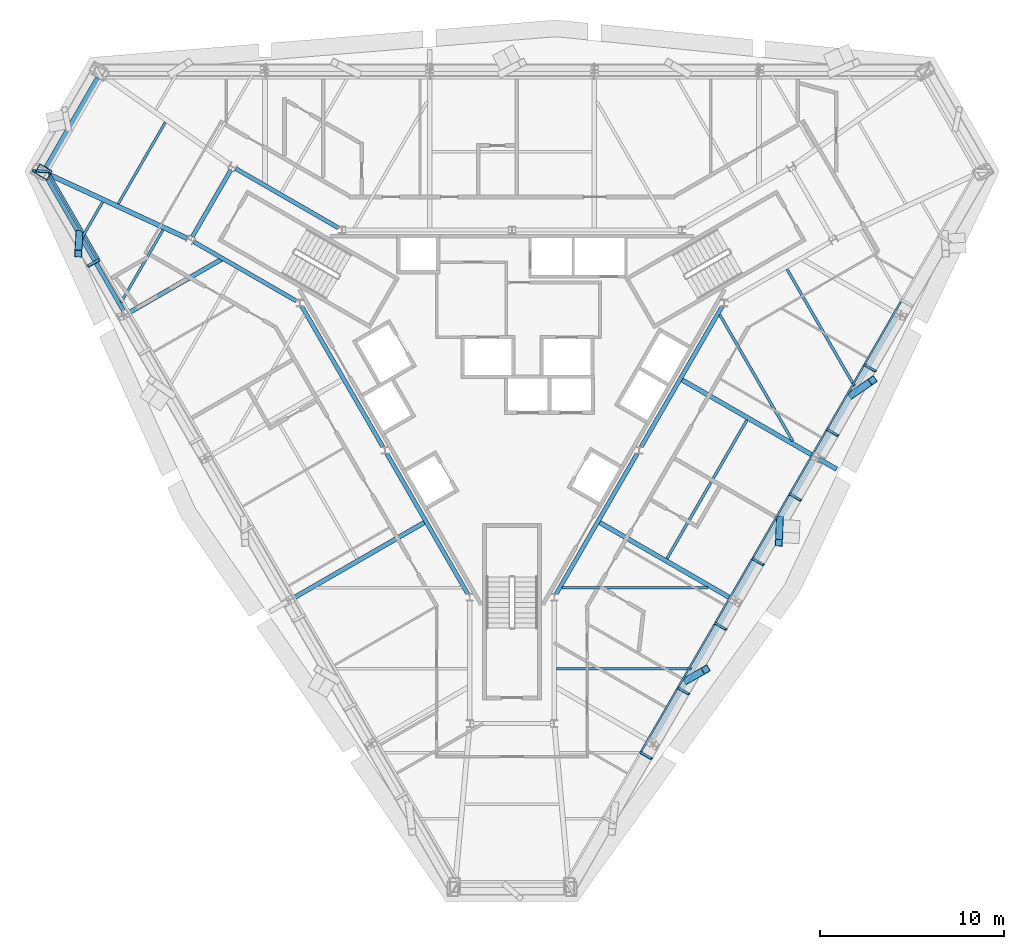
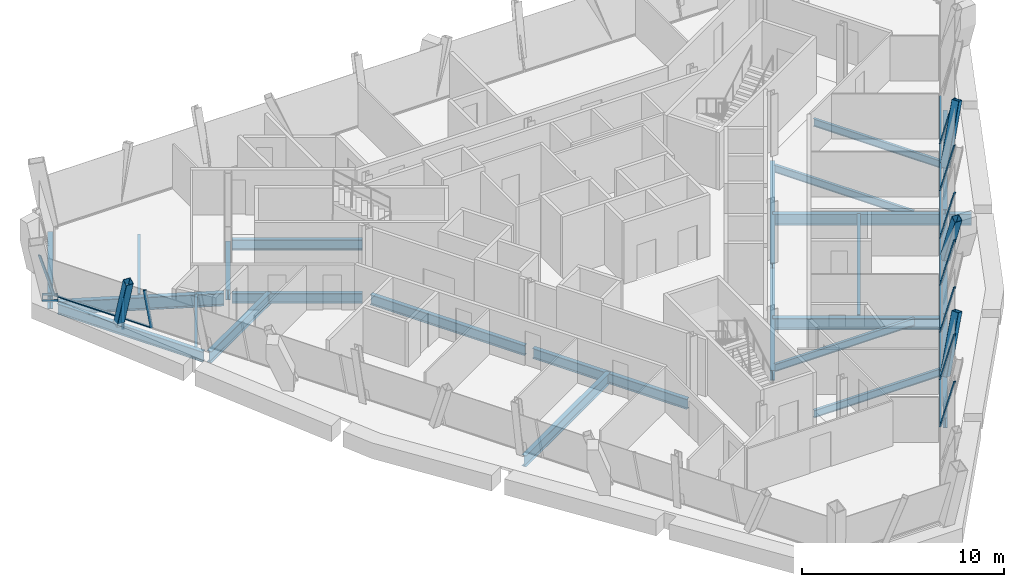
# One storey, part 4 of 13: 26 beams, 22 members, 2 elements without a shape of their own.
"""IFC4 building model written with IfcOpenShell, lengths in metres."""

from ifc_helpers import new_model, si_unit, direction, frame, origin, origin_2d, place, context, subcontext, project, spatial, rectangle, hollow_rectangle, i_section, extrude, material, material_profile, profile_set, type_object, element, aggregate, save


model = new_model("IFC4")

# Units and contexts
model_context = context("Model", 3, precision=1e-05, world=origin(), true_north=direction((0.0, 1.0)))
body_context = subcontext(model_context, "Body", "Model", "MODEL_VIEW")
ifc_project = project(units=[si_unit("LENGTHUNIT", "METRE"), si_unit("AREAUNIT", "SQUARE_METRE"), si_unit("VOLUMEUNIT", "CUBIC_METRE"), si_unit("PLANEANGLEUNIT", "RADIAN"), si_unit("MASSUNIT", "GRAM", prefix="KILO")], contexts=[model_context])

# Site, building, storey
site_placement = place(None, origin())
site = spatial("IfcSite", under=ifc_project, at=site_placement, CompositionType="ELEMENT")
building_placement = place(site_placement, origin())
building = spatial("IfcBuilding", under=site, at=building_placement, Name="Verrane Prism Tower", CompositionType="ELEMENT")
storey_placement = place(building_placement, frame((0.0, 0.0, 243.39990234375)))
storey = spatial("IfcBuildingStorey", under=building, at=storey_placement, Name="L61", CompositionType="ELEMENT", Elevation=243.39990234375)

# Beams
ifc_material_1 = material(Name="Steel A992", Category="steel")
ifc_material_profile_1 = material_profile(ifc_material_1, i_section(OverallWidth=0.2666015625, OverallDepth=0.7568359375, WebThickness=0.013916015625, FlangeThickness=0.019287109375, FilletRadius=0.0166015625, at=origin_2d()), Name="W30x108")
ifc_profile_set_1 = profile_set([ifc_material_profile_1], Name="Steel A992")
beam_type_1 = type_object("IfcBeamType", Name="Chamfer spandrel beam W30x108", PredefinedType="SPANDREL", material=ifc_profile_set_1)
beam_1_placement = place(storey_placement, frame((-22.580078125, 16.270263671875, -0.538330078125), z_axis=(-0.499927487467, -0.866067264868, 0.0), x_axis=(0.866067264868, -0.499927487467, 0.0)))
element("IfcBeam", 1, at=beam_1_placement, inside=storey, type_object=beam_type_1, Name="Chamfer spandrel beam L61", PredefinedType="SPANDREL", context=body_context, shape_type="SweptSolid", body=[
    extrude(i_section(OverallWidth=0.2666015625, OverallDepth=0.7568359375, WebThickness=0.013916015625, FlangeThickness=0.019287109375, FilletRadius=0.0166015625, at=origin_2d()), origin(), (0.0, 0.0, 1.0), 5.600341796875),
])
ifc_material_2 = material(Name="Steel A992", Category="steel")
ifc_material_profile_2 = material_profile(ifc_material_2, i_section(OverallWidth=0.23046875, OverallDepth=0.6171875, WebThickness=0.01318359375, FlangeThickness=0.022216796875, FilletRadius=0.012939453125, at=origin_2d()), Name="W24x94")
ifc_profile_set_2 = profile_set([ifc_material_profile_2], Name="Steel A992")
beam_type_2 = type_object("IfcBeamType", Name="Core ring girder W24x94", PredefinedType="BEAM", material=ifc_profile_set_2)
beam_2_placement = place(storey_placement, frame((-9.45947265625, 8.114990234375, -0.55859375), z_axis=(-0.866080992722, 0.499903704773, 0.0), x_axis=(-0.499903704773, -0.866080992722, 0.0)))
element("IfcBeam", 2, at=beam_2_placement, inside=storey, type_object=beam_type_2, Name="Core ring girder L61", PredefinedType="BEAM", context=body_context, shape_type="SweptSolid", body=[
    extrude(i_section(OverallWidth=0.23046875, OverallDepth=0.6171875, WebThickness=0.01318359375, FlangeThickness=0.022216796875, FilletRadius=0.012939453125, at=origin_2d()), origin(), (0.0, 0.0, 1.0), 6.451904296875),
])
beam_3_placement = place(storey_placement, frame((-15.3203125, 11.266357421875, -0.55859375), z_axis=(-0.500375511519, -0.865808493532, 0.0), x_axis=(0.865808493532, -0.500375511519, 0.0)))
element("IfcBeam", 3, at=beam_3_placement, inside=storey, type_object=beam_type_2, Name="Core ring girder L61", PredefinedType="BEAM", context=body_context, shape_type="SweptSolid", body=[
    extrude(i_section(OverallWidth=0.23046875, OverallDepth=0.6171875, WebThickness=0.01318359375, FlangeThickness=0.022216796875, FilletRadius=0.012939453125, at=origin_2d()), origin(), (0.0, 0.0, 1.0), 4.195556640625),
])
beam_4_placement = place(storey_placement, frame((-17.347412109375, 7.3603515625, -0.55859375), z_axis=(0.866080992722, -0.499903704773, 0.0), x_axis=(0.499903704773, 0.866080992722, 0.0)))
element("IfcBeam", 4, at=beam_4_placement, inside=storey, type_object=beam_type_2, Name="Core ring girder L61", PredefinedType="BEAM", context=body_context, shape_type="SweptSolid", body=[
    extrude(i_section(OverallWidth=0.23046875, OverallDepth=0.6171875, WebThickness=0.01318359375, FlangeThickness=0.022216796875, FilletRadius=0.012939453125, at=origin_2d()), origin(), (0.0, 0.0, 1.0), 6.451904296875),
])
beam_5_placement = place(storey_placement, frame((-11.448486328125, 3.826904296875, -0.55859375), z_axis=(0.499967007444, -0.866044451208, 0.0), x_axis=(0.866044451208, 0.499967007444, 0.0)))
element("IfcBeam", 5, at=beam_5_placement, inside=storey, type_object=beam_type_2, Name="Core ring girder L61", PredefinedType="BEAM", context=body_context, shape_type="SweptSolid", body=[
    extrude(i_section(OverallWidth=0.23046875, OverallDepth=0.6171875, WebThickness=0.01318359375, FlangeThickness=0.022216796875, FilletRadius=0.012939453125, at=origin_2d()), origin(), (0.0, 0.0, 1.0), 8.814453125),
])
for number, where, z_axis, x_axis, name in (
    (6, (-6.818603515625, -4.193115234375, -0.55859375), (0.499987781028, -0.866032458297, 0.0), (0.866032458297, 0.499987781028, 0.0), "Core ring girder L61"),
    (7, (2.411376953125, -11.826904296875, -0.55859375), (0.499987781028, 0.866032458297, 0.0), (-0.866032458297, 0.499987781028, 0.0), "Core ring girder L61"),
):
    element("IfcBeam", number, at=place(storey_placement, frame(where, z_axis=z_axis, x_axis=x_axis)), inside=storey, type_object=beam_type_2, Name=name, PredefinedType="BEAM", context=body_context, shape_type="SweptSolid", body=[
        extrude(i_section(OverallWidth=0.23046875, OverallDepth=0.6171875, WebThickness=0.01318359375, FlangeThickness=0.022216796875, FilletRadius=0.012939453125, at=origin_2d()), origin(), (0.0, 0.0, 1.0), 8.814697265625),
    ])
beam_6_placement = place(storey_placement, frame((7.04150390625, -3.806884765625, -0.55859375), z_axis=(0.499967007444, 0.866044451208, 0.0), x_axis=(-0.866044451208, 0.499967007444, 0.0)))
element("IfcBeam", 8, at=beam_6_placement, inside=storey, type_object=beam_type_2, Name="Core ring girder L61", PredefinedType="BEAM", context=body_context, shape_type="SweptSolid", body=[
    extrude(i_section(OverallWidth=0.23046875, OverallDepth=0.6171875, WebThickness=0.01318359375, FlangeThickness=0.022216796875, FilletRadius=0.012939453125, at=origin_2d()), origin(), (0.0, 0.0, 1.0), 8.814453125),
])
ifc_material_3 = material(Name="Steel A992", Category="steel")
ifc_material_profile_3 = material_profile(ifc_material_3, i_section(OverallWidth=0.2666015625, OverallDepth=0.76708984375, WebThickness=0.014892578125, FlangeThickness=0.023681640625, FilletRadius=0.0166015625, at=origin_2d()), Name="W30x124")
ifc_profile_set_3 = profile_set([ifc_material_profile_3], Name="Steel A992")
beam_type_3 = type_object("IfcBeamType", Name="Corner girder W30x124", PredefinedType="BEAM", material=ifc_profile_set_3)
beam_7_placement = place(storey_placement, frame((-25.165283203125, 10.99169921875, -0.603515625), z_axis=(0.907815050259, -0.419370760215, 0.0), x_axis=(0.419370760215, 0.907815050259, 0.0)))
element("IfcBeam", 9, at=beam_7_placement, inside=storey, type_object=beam_type_3, Name="Corner girder L61", PredefinedType="BEAM", context=body_context, shape_type="SweptSolid", body=[
    extrude(i_section(OverallWidth=0.2666015625, OverallDepth=0.76708984375, WebThickness=0.014892578125, FlangeThickness=0.023681640625, FilletRadius=0.0166015625, at=origin_2d()), origin(), (0.0, 0.0, 1.0), 8.22119140625),
])

# Members
ifc_material_4 = material(Name="Steel A500 Grade C", Category="steel")
ifc_material_profile_4 = material_profile(ifc_material_4, hollow_rectangle(XDim=0.406494140625, YDim=0.406494140625, WallThickness=0.01904296875, InnerFilletRadius=0.009521484375, OuterFilletRadius=0.028564453125, at=origin_2d()), Name="HSS16x16x3/4")
ifc_profile_set_4 = profile_set([ifc_material_profile_4], Name="Steel A500 Grade C")
member_type_1 = type_object("IfcMemberType", Name="Facade brace HSS16x16x3/4", PredefinedType="BRACE", material=ifc_profile_set_4)
member_1_placement = place(storey_placement, frame((-23.5751953125, 7.769775390625, -0.216552734375), z_axis=(-0.018709225609, -0.313778369029, 0.949311908704), x_axis=(0.998227119344, -0.059519897571, 0.0)))
element("IfcMember", 10, at=member_1_placement, inside=storey, type_object=member_type_1, Name="Facade brace SW0 L61", PredefinedType="BRACE", context=body_context, shape_type="SweptSolid", body=[
    extrude(hollow_rectangle(XDim=0.406494140625, YDim=0.406494140625, WallThickness=0.01904296875, InnerFilletRadius=0.009521484375, OuterFilletRadius=0.028564453125, at=origin_2d()), origin(), (0.0, 0.0, 1.0), 3.36669921875),
])
member_2_placement = place(storey_placement, frame((9.54931640625, -16.521728515625, -0.216552734375), z_axis=(0.29571473243, 0.168507836357, 0.940296711741), x_axis=(-0.495093133166, 0.868839910163, 0.0)))
element("IfcMember", 11, at=member_2_placement, inside=storey, type_object=member_type_1, Name="Facade brace SE1 L61", PredefinedType="BRACE", context=body_context, shape_type="SweptSolid", body=[
    extrude(hollow_rectangle(XDim=0.406494140625, YDim=0.406494140625, WallThickness=0.01904296875, InnerFilletRadius=0.009521484375, OuterFilletRadius=0.028564453125, at=origin_2d()), origin(), (0.0, 0.0, 1.0), 3.39892578125),
])
member_3_placement = place(storey_placement, frame((14.591796875, -7.785888671875, -0.216552734375), z_axis=(-0.01421343073, -0.366422244214, 0.930340108418), x_axis=(0.9992485252, -0.038760609977, 0.0)))
element("IfcMember", 12, at=member_3_placement, inside=storey, type_object=member_type_1, Name="Facade brace SE2 L61", PredefinedType="BRACE", context=body_context, shape_type="SweptSolid", body=[
    extrude(hollow_rectangle(XDim=0.406494140625, YDim=0.406494140625, WallThickness=0.01904296875, InnerFilletRadius=0.009521484375, OuterFilletRadius=0.028564453125, at=origin_2d()), origin(), (0.0, 0.0, 1.0), 3.435302734375),
])
member_4_placement = place(storey_placement, frame((18.53271484375, -0.966064453125, -0.216552734375), z_axis=(0.322602013619, 0.223031755876, 0.919883023368), x_axis=(-0.568678806542, 0.822559672601, 0.0)))
element("IfcMember", 13, at=member_4_placement, inside=storey, type_object=member_type_1, Name="Facade brace SE3 L61", PredefinedType="BRACE", context=body_context, shape_type="SweptSolid", body=[
    extrude(hollow_rectangle(XDim=0.406494140625, YDim=0.406494140625, WallThickness=0.01904296875, InnerFilletRadius=0.009521484375, OuterFilletRadius=0.028564453125, at=origin_2d()), origin(), (0.0, 0.0, 1.0), 3.474365234375),
])

# Beams
ifc_material_5 = material(Name="Steel A992", Category="steel")
ifc_material_profile_5 = material_profile(ifc_material_5, i_section(OverallWidth=0.140380859375, OverallDepth=0.40380859375, WebThickness=0.007080078125, FlangeThickness=0.01123046875, FilletRadius=0.01025390625, at=origin_2d()), Name="W16x31")
ifc_profile_set_5 = profile_set([ifc_material_profile_5], Name="Steel A992")
beam_type_4 = type_object("IfcBeamType", Name="Floor beam W16x31", PredefinedType="BEAM", material=ifc_profile_set_5)
beam_8_placement = place(storey_placement, frame((-21.30126953125, 4.05615234375, -0.36181640625), z_axis=(0.500002007077, 0.866024244995, 0.0), x_axis=(-0.866024244995, 0.500002007077, 0.0)))
element("IfcBeam", 14, at=beam_8_placement, inside=storey, type_object=beam_type_4, Name="Floor beam L61", PredefinedType="BEAM", context=body_context, shape_type="SweptSolid", body=[
    extrude(i_section(OverallWidth=0.140380859375, OverallDepth=0.40380859375, WebThickness=0.007080078125, FlangeThickness=0.01123046875, FilletRadius=0.01025390625, at=origin_2d()), origin(), (0.0, 0.0, 1.0), 4.56103515625),
])
beam_9_placement = place(storey_placement, frame((-23.382568359375, 7.66552734375, -0.36181640625), z_axis=(0.500027542156, 0.866009501729, 0.0), x_axis=(-0.866009501729, 0.500027542156, 0.0)))
element("IfcBeam", 15, at=beam_9_placement, inside=storey, type_object=beam_type_4, Name="Floor beam L61", PredefinedType="BEAM", context=body_context, shape_type="SweptSolid", body=[
    extrude(i_section(OverallWidth=0.140380859375, OverallDepth=0.40380859375, WebThickness=0.007080078125, FlangeThickness=0.01123046875, FilletRadius=0.01025390625, at=origin_2d()), origin(), (0.0, 0.0, 1.0), 2.1474609375),
])
beam_10_placement = place(storey_placement, frame((-21.457275390625, 9.42578125, -0.36181640625), z_axis=(0.499992949462, 0.866029474376, 0.0), x_axis=(-0.866029474376, 0.499992949462, 0.0)))
element("IfcBeam", 16, at=beam_10_placement, inside=storey, type_object=beam_type_4, Name="Floor beam L61", PredefinedType="BEAM", context=body_context, shape_type="SweptSolid", body=[
    extrude(i_section(OverallWidth=0.140380859375, OverallDepth=0.40380859375, WebThickness=0.007080078125, FlangeThickness=0.01123046875, FilletRadius=0.01025390625, at=origin_2d()), origin(), (0.0, 0.0, 1.0), 5.13037109375),
])
ifc_material_6 = material(Name="Steel A992", Category="steel")
ifc_material_profile_6 = material_profile(ifc_material_6, i_section(OverallWidth=0.15234375, OverallDepth=0.449462890625, WebThickness=0.007568359375, FlangeThickness=0.0107421875, FilletRadius=0.01025390625, at=origin_2d()), Name="W18x35")
ifc_profile_set_6 = profile_set([ifc_material_profile_6], Name="Steel A992")
beam_type_5 = type_object("IfcBeamType", Name="Floor beam W18x35", PredefinedType="BEAM", material=ifc_profile_set_6)
beam_11_placement = place(storey_placement, frame((2.4150390625, -15.909912109375, -0.384765625), z_axis=(1.0, 0.0, 0.0), x_axis=(0.0, 1.0, 0.0)))
element("IfcBeam", 17, at=beam_11_placement, inside=storey, type_object=beam_type_5, Name="Floor beam L61", PredefinedType="BEAM", context=body_context, shape_type="SweptSolid", body=[
    extrude(i_section(OverallWidth=0.15234375, OverallDepth=0.449462890625, WebThickness=0.007568359375, FlangeThickness=0.0107421875, FilletRadius=0.01025390625, at=origin_2d()), origin(), (0.0, 0.0, 1.0), 7.354248046875),
])
beam_12_placement = place(storey_placement, frame((2.733642578125, -11.5, -0.384765625), z_axis=(1.0, 0.0, 0.0), x_axis=(0.0, 1.0, 0.0)))
element("IfcBeam", 18, at=beam_12_placement, inside=storey, type_object=beam_type_5, Name="Floor beam L61", PredefinedType="BEAM", context=body_context, shape_type="SweptSolid", body=[
    extrude(i_section(OverallWidth=0.15234375, OverallDepth=0.449462890625, WebThickness=0.007568359375, FlangeThickness=0.0107421875, FilletRadius=0.01025390625, at=origin_2d()), origin(), (0.0, 0.0, 1.0), 7.956298828125),
])
beam_13_placement = place(storey_placement, frame((8.442626953125, -9.90966796875, -0.384765625), z_axis=(0.500012552615, 0.866018156408, 0.0), x_axis=(-0.866018156408, 0.500012552615, 0.0)))
element("IfcBeam", 19, at=beam_13_placement, inside=storey, type_object=beam_type_5, Name="Floor beam L61", PredefinedType="BEAM", context=body_context, shape_type="SweptSolid", body=[
    extrude(i_section(OverallWidth=0.15234375, OverallDepth=0.449462890625, WebThickness=0.007568359375, FlangeThickness=0.0107421875, FilletRadius=0.01025390625, at=origin_2d()), origin(), (0.0, 0.0, 1.0), 8.717529296875),
])
beam_14_placement = place(storey_placement, frame((18.664794921875, -0.5078125, -0.384765625), z_axis=(-0.499983921128, 0.866034686726, 0.0), x_axis=(-0.866034686726, -0.499983921128, 0.0)))
element("IfcBeam", 20, at=beam_14_placement, inside=storey, type_object=beam_type_5, Name="Floor beam L61", PredefinedType="BEAM", context=body_context, shape_type="SweptSolid", body=[
    extrude(i_section(OverallWidth=0.15234375, OverallDepth=0.449462890625, WebThickness=0.007568359375, FlangeThickness=0.0107421875, FilletRadius=0.01025390625, at=origin_2d()), origin(), (0.0, 0.0, 1.0), 7.355224609375),
])
beam_15_placement = place(storey_placement, frame((15.298583984375, -3.506103515625, -0.384765625), z_axis=(-0.500009511199, 0.866019912421, 0.0), x_axis=(-0.866019912421, -0.500009511199, 0.0)))
element("IfcBeam", 21, at=beam_15_placement, inside=storey, type_object=beam_type_5, Name="Floor beam L61", PredefinedType="BEAM", context=body_context, shape_type="SweptSolid", body=[
    extrude(i_section(OverallWidth=0.15234375, OverallDepth=0.449462890625, WebThickness=0.007568359375, FlangeThickness=0.0107421875, FilletRadius=0.01025390625, at=origin_2d()), origin(), (0.0, 0.0, 1.0), 7.950927734375),
])

# Member
ifc_material_7 = material(Name="Steel A572 Grade 50", Category="steel")
ifc_material_profile_7 = material_profile(ifc_material_7, hollow_rectangle(XDim=0.60009765625, YDim=0.800048828125, WallThickness=0.050048828125, at=origin_2d()), Name="BOX 800x600x50")
ifc_profile_set_7 = profile_set([ifc_material_profile_7], Name="Steel A572 Grade 50")
member_type_2 = type_object("IfcMemberType", Name="Kink node BOX 800x600x50", PredefinedType="COLLAR", material=ifc_profile_set_7)
member_5_placement = place(storey_placement, frame((-25.537109375, 11.159912109375, -0.06494140625), z_axis=(0.0, 0.0, 1.0), x_axis=(0.5, 0.866025403784, 0.0)))
element("IfcMember", 22, at=member_5_placement, inside=storey, type_object=member_type_2, Name="Kink node MC4 L61", PredefinedType="COLLAR", context=body_context, shape_type="SweptSolid", body=[
    extrude(hollow_rectangle(XDim=0.60009765625, YDim=0.800048828125, WallThickness=0.050048828125, at=origin_2d()), origin(), (0.0, 0.0, 1.0), 0.130126953125),
])

# Curtain wall, members
ifc_material_8 = material(Name="Aluminium framed insulated glazing", Category="aluminium")
curtain_wall_type_1 = type_object("IfcCurtainWallType", Name="Curtain wall CW-C 4200 module", PredefinedType="NOTDEFINED", material=ifc_material_8)
curtain_wall_1_placement = place(storey_placement, origin())
curtain_wall_1 = element("IfcCurtainWall", 23, at=curtain_wall_1_placement, inside=storey, type_object=curtain_wall_type_1, Name="Glazed curtain wall south-east face L61", PredefinedType="NOTDEFINED")
ifc_material_9 = material(Name="Aluminium alloy 6063-T6", Category="aluminium")
ifc_material_profile_8 = material_profile(ifc_material_9, rectangle(XDim=0.139892578125, YDim=0.050048828125, at=origin_2d()), Name="Mullion 50x140 aluminium")
ifc_profile_set_8 = profile_set([ifc_material_profile_8], Name="Aluminium alloy 6063-T6")
member_type_3 = type_object("IfcMemberType", Name="Mullion 50x140 aluminium", PredefinedType="MULLION", material=ifc_profile_set_8)
member_6_placement = place(storey_placement, frame((7.00341796875, -20.473388671875, 0.0), z_axis=(0.216281843291, -0.124958969895, 0.968301306467), x_axis=(-0.852455095914, -0.50766347404, 0.124892379975)))
member_6 = element("IfcMember", 24, at=member_6_placement, type_object=member_type_3, Name="CW59.6 mullion 3", PredefinedType="MULLION", context=body_context, shape_type="SweptSolid", body=[
    extrude(rectangle(XDim=0.139892578125, YDim=0.050048828125, at=origin_2d()), origin(), (0.0, 0.0, 1.0), 2.8017578125),
])
member_7_placement = place(storey_placement, frame((9.035888671875, -16.952880859375, 0.0), z_axis=(0.216367259975, -0.124870835096, 0.968293593572), x_axis=(-0.852209741799, -0.508071565066, 0.124907328667)))
member_7 = element("IfcMember", 25, at=member_7_placement, type_object=member_type_3, Name="CW59.6 mullion 4", PredefinedType="MULLION", context=body_context, shape_type="SweptSolid", body=[
    extrude(rectangle(XDim=0.139892578125, YDim=0.050048828125, at=origin_2d()), origin(), (0.0, 0.0, 1.0), 2.8017578125),
])
member_8_placement = place(storey_placement, frame((11.068603515625, -13.43212890625, 0.0), z_axis=(0.216367259975, -0.124870835096, 0.968293593572), x_axis=(-0.852209741799, -0.508071565066, 0.124907328667)))
member_8 = element("IfcMember", 26, at=member_8_placement, type_object=member_type_3, Name="CW59.6 mullion 5", PredefinedType="MULLION", context=body_context, shape_type="SweptSolid", body=[
    extrude(rectangle(XDim=0.139892578125, YDim=0.050048828125, at=origin_2d()), origin(), (0.0, 0.0, 1.0), 2.8017578125),
])
member_9_placement = place(storey_placement, frame((13.101318359375, -9.911376953125, 0.0), z_axis=(0.216367259975, -0.124870835096, 0.968293593572), x_axis=(-0.852209741799, -0.508071565066, 0.124907328667)))
member_9 = element("IfcMember", 27, at=member_9_placement, type_object=member_type_3, Name="CW59.6 mullion 6", PredefinedType="MULLION", context=body_context, shape_type="SweptSolid", body=[
    extrude(rectangle(XDim=0.139892578125, YDim=0.050048828125, at=origin_2d()), origin(), (0.0, 0.0, 1.0), 2.8017578125),
])
member_10_placement = place(storey_placement, frame((15.134033203125, -6.390625, 0.0), z_axis=(0.216367259975, -0.124870835096, 0.968293593572), x_axis=(-0.852209741799, -0.508071565066, 0.124907328667)))
member_10 = element("IfcMember", 28, at=member_10_placement, type_object=member_type_3, Name="CW59.6 mullion 7", PredefinedType="MULLION", context=body_context, shape_type="SweptSolid", body=[
    extrude(rectangle(XDim=0.139892578125, YDim=0.050048828125, at=origin_2d()), origin(), (0.0, 0.0, 1.0), 2.8017578125),
])
member_11_placement = place(storey_placement, frame((17.166748046875, -2.869873046875, 0.0), z_axis=(0.216367259975, -0.124870835096, 0.968293593572), x_axis=(-0.852209741799, -0.508071565066, 0.124907328667)))
member_11 = element("IfcMember", 29, at=member_11_placement, type_object=member_type_3, Name="CW59.6 mullion 8", PredefinedType="MULLION", context=body_context, shape_type="SweptSolid", body=[
    extrude(rectangle(XDim=0.139892578125, YDim=0.050048828125, at=origin_2d()), origin(), (0.0, 0.0, 1.0), 2.8017578125),
])
member_12_placement = place(storey_placement, frame((19.199462890625, 0.65087890625, 0.0), z_axis=(0.216367259975, -0.124870835096, 0.968293593572), x_axis=(-0.852209741799, -0.508071565066, 0.124907328667)))
member_12 = element("IfcMember", 30, at=member_12_placement, type_object=member_type_3, Name="CW59.6 mullion 9", PredefinedType="MULLION", context=body_context, shape_type="SweptSolid", body=[
    extrude(rectangle(XDim=0.139892578125, YDim=0.050048828125, at=origin_2d()), origin(), (0.0, 0.0, 1.0), 2.8017578125),
])

ifc_material_10 = material(Name="Aluminium framed insulated glazing", Category="aluminium")
curtain_wall_type_2 = type_object("IfcCurtainWallType", Name="Curtain wall CW-B 5600 module", PredefinedType="NOTDEFINED", material=ifc_material_10)
curtain_wall_2_placement = place(storey_placement, origin())
curtain_wall_2 = element("IfcCurtainWall", 31, at=curtain_wall_2_placement, inside=storey, type_object=curtain_wall_type_2, Name="Glazed curtain wall south-west face L61", PredefinedType="NOTDEFINED")
ifc_material_11 = material(Name="Aluminium alloy 6063-T6", Category="aluminium")
ifc_material_profile_9 = material_profile(ifc_material_11, rectangle(XDim=0.159912109375, YDim=0.06005859375, at=origin_2d()), Name="Mullion 60x160 aluminium")
ifc_profile_set_9 = profile_set([ifc_material_profile_9], Name="Aluminium alloy 6063-T6")
member_type_4 = type_object("IfcMemberType", Name="Mullion 60x160 aluminium", PredefinedType="MULLION", material=ifc_profile_set_9)
member_13_placement = place(storey_placement, frame((-25.28271484375, 11.187255859375, 0.0), z_axis=(-0.290367898608, 0.009213927981, 0.956870726373), x_axis=(0.450727258273, -0.880764092898, 0.145256846008)))
member_13 = element("IfcMember", 32, at=member_13_placement, type_object=member_type_4, Name="CW59.4 mullion 1", PredefinedType="MULLION", context=body_context, shape_type="SweptSolid", body=[
    extrude(rectangle(XDim=0.159912109375, YDim=0.06005859375, at=origin_2d()), origin(), (0.0, 0.0, 1.0), 2.835205078125),
])
member_14_placement = place(storey_placement, frame((-22.502685546875, 6.3720703125, 0.0), z_axis=(-0.216367259975, -0.124870835096, 0.968293593572), x_axis=(0.852209741799, -0.508071565066, 0.124907328667)))
member_14 = element("IfcMember", 33, at=member_14_placement, type_object=member_type_4, Name="CW59.4 mullion 2", PredefinedType="MULLION", context=body_context, shape_type="SweptSolid", body=[
    extrude(rectangle(XDim=0.159912109375, YDim=0.06005859375, at=origin_2d()), origin(), (0.0, 0.0, 1.0), 2.8017578125),
])

# Beams
ifc_material_12 = material(Name="Steel A992", Category="steel")
ifc_material_profile_10 = material_profile(ifc_material_12, i_section(OverallWidth=0.25390625, OverallDepth=0.683349609375, WebThickness=0.012451171875, FlangeThickness=0.01904296875, FilletRadius=0.01513671875, at=origin_2d()), Name="W27x94")
ifc_profile_set_10 = profile_set([ifc_material_profile_10], Name="Steel A992")
beam_type_6 = type_object("IfcBeamType", Name="Radial girder W27x94", PredefinedType="BEAM", material=ifc_profile_set_10)
beam_16_placement = place(storey_placement, frame((-20.8828125, 3.486572265625, -0.5615234375), z_axis=(0.866035066882, 0.499983262651, 0.0), x_axis=(-0.499983262651, 0.866035066882, 0.0)))
element("IfcBeam", 34, at=beam_16_placement, inside=storey, type_object=beam_type_6, Name="Radial girder L61", PredefinedType="BEAM", context=body_context, shape_type="SweptSolid", body=[
    extrude(i_section(OverallWidth=0.25390625, OverallDepth=0.683349609375, WebThickness=0.012451171875, FlangeThickness=0.01904296875, FilletRadius=0.01513671875, at=origin_2d()), origin(), (0.0, 0.0, 1.0), 5.915283203125),
])
for number, where, z_axis, x_axis, name in (
    (35, (-11.90283203125, -12.053466796875, -0.5615234375), (0.866031416415, 0.499989585674, 0.0), (-0.499989585674, 0.866031416415, 0.0), "Radial girder L61"),
    (36, (11.90283203125, -12.053466796875, -0.5615234375), (-0.866031416415, 0.499989585674, 0.0), (-0.499989585674, -0.866031416415, 0.0), "Radial girder L61"),
):
    element("IfcBeam", number, at=place(storey_placement, frame(where, z_axis=z_axis, x_axis=x_axis)), inside=storey, type_object=beam_type_6, Name=name, PredefinedType="BEAM", context=body_context, shape_type="SweptSolid", body=[
        extrude(i_section(OverallWidth=0.25390625, OverallDepth=0.683349609375, WebThickness=0.012451171875, FlangeThickness=0.01904296875, FilletRadius=0.01513671875, at=origin_2d()), origin(), (0.0, 0.0, 1.0), 8.333251953125),
    ])
beam_17_placement = place(storey_placement, frame((16.392822265625, -4.283447265625, -0.5615234375), z_axis=(-0.866025143971, 0.50000045001, 0.0), x_axis=(-0.50000045001, -0.866025143971, 0.0)))
element("IfcBeam", 37, at=beam_17_placement, inside=storey, type_object=beam_type_6, Name="Radial girder L61", PredefinedType="BEAM", context=body_context, shape_type="SweptSolid", body=[
    extrude(i_section(OverallWidth=0.25390625, OverallDepth=0.683349609375, WebThickness=0.012451171875, FlangeThickness=0.01904296875, FilletRadius=0.01513671875, at=origin_2d()), origin(), (0.0, 0.0, 1.0), 8.3369140625),
])
beam_18_placement = place(storey_placement, frame((16.7236328125, -4.474609375, -0.5615234375), z_axis=(0.86606220186, -0.499936258447, 0.0), x_axis=(0.499936258447, 0.86606220186, 0.0)))
element("IfcBeam", 38, at=beam_18_placement, inside=storey, type_object=beam_type_6, Name="Cantilever girder L61", PredefinedType="BEAM", context=body_context, shape_type="SweptSolid", body=[
    extrude(i_section(OverallWidth=0.25390625, OverallDepth=0.683349609375, WebThickness=0.012451171875, FlangeThickness=0.01904296875, FilletRadius=0.01513671875, at=origin_2d()), origin(), (0.0, 0.0, 1.0), 1.120361328125),
])
ifc_material_13 = material(Name="Steel A992", Category="steel")
ifc_material_profile_11 = material_profile(ifc_material_13, i_section(OverallWidth=0.23046875, OverallDepth=0.6171875, WebThickness=0.01318359375, FlangeThickness=0.022216796875, FilletRadius=0.012939453125, at=origin_2d()), Name="W24x94")
ifc_profile_set_11 = profile_set([ifc_material_profile_11], Name="Steel A992")
beam_type_7 = type_object("IfcBeamType", Name="Spandrel beam W24x94", PredefinedType="SPANDREL", material=ifc_profile_set_11)
beam_19_placement = place(storey_placement, frame((-25.29931640625, 10.759765625, -0.468505859375), z_axis=(0.499499405012, -0.866314229591, 0.0), x_axis=(0.866314229591, 0.499499405012, 0.0)))
element("IfcBeam", 39, at=beam_19_placement, inside=storey, type_object=beam_type_7, Name="Spandrel beam L61", PredefinedType="SPANDREL", context=body_context, shape_type="SweptSolid", body=[
    extrude(i_section(OverallWidth=0.23046875, OverallDepth=0.6171875, WebThickness=0.01318359375, FlangeThickness=0.022216796875, FilletRadius=0.012939453125, at=origin_2d()), origin(), (0.0, 0.0, 1.0), 8.3076171875),
])
beam_20_placement = place(storey_placement, frame((7.689697265625, -19.747314453125, -0.468505859375), z_axis=(0.499491441068, 0.866318821393, 0.0), x_axis=(-0.866318821393, 0.499491441068, 0.0)))
element("IfcBeam", 40, at=beam_20_placement, inside=storey, type_object=beam_type_7, Name="Spandrel beam L61", PredefinedType="SPANDREL", context=body_context, shape_type="SweptSolid", body=[
    extrude(i_section(OverallWidth=0.23046875, OverallDepth=0.6171875, WebThickness=0.01318359375, FlangeThickness=0.022216796875, FilletRadius=0.012939453125, at=origin_2d()), origin(), (0.0, 0.0, 1.0), 8.5703125),
])
for number, where, z_axis, x_axis, name in (
    (41, (12.169921875, -11.977294921875, -0.468505859375), (0.500312223767, 0.86584506625, 0.0), (-0.86584506625, 0.500312223767, 0.0), "Spandrel beam L61"),
    (42, (16.659912109375, -4.20751953125, -0.468505859375), (0.500312223767, 0.86584506625, 0.0), (-0.86584506625, 0.500312223767, 0.0), "Spandrel beam L61"),
):
    element("IfcBeam", number, at=place(storey_placement, frame(where, z_axis=z_axis, x_axis=x_axis)), inside=storey, type_object=beam_type_7, Name=name, PredefinedType="SPANDREL", context=body_context, shape_type="SweptSolid", body=[
        extrude(i_section(OverallWidth=0.23046875, OverallDepth=0.6171875, WebThickness=0.01318359375, FlangeThickness=0.022216796875, FilletRadius=0.012939453125, at=origin_2d()), origin(), (0.0, 0.0, 1.0), 8.5751953125),
    ])

# Member
ifc_material_14 = material(Name="Aluminium alloy 6063-T6", Category="aluminium")
ifc_material_profile_12 = material_profile(ifc_material_14, rectangle(XDim=0.10009765625, YDim=0.050048828125, at=origin_2d()), Name="Transom 50x100 aluminium")
ifc_profile_set_12 = profile_set([ifc_material_profile_12], Name="Aluminium alloy 6063-T6")
member_type_5 = type_object("IfcMemberType", Name="Transom 50x100 aluminium", PredefinedType="USERDEFINED", material=ifc_profile_set_12)
member_15_placement = place(storey_placement, frame((7.015869140625, -20.451904296875, 0.025146484375), z_axis=(0.499964557259, 0.866045865693, 0.0), x_axis=(-0.866045865693, 0.499964557259, 0.0)))
member_15 = element("IfcMember", 43, at=member_15_placement, type_object=member_type_5, Name="CW59.6 transom 3", ObjectType="TRANSOM", PredefinedType="USERDEFINED", context=body_context, shape_type="SweptSolid", body=[
    extrude(rectangle(XDim=0.10009765625, YDim=0.050048828125, at=origin_2d()), origin(), (0.0, 0.0, 1.0), 4.015380859375),
])

member_16_placement = place(storey_placement, frame((9.048583984375, -16.93115234375, 0.025146484375), z_axis=(0.499964557259, 0.866045865693, 0.0), x_axis=(-0.866045865693, 0.499964557259, 0.0)))
member_16 = element("IfcMember", 44, at=member_16_placement, type_object=member_type_5, Name="CW59.6 transom 4", ObjectType="TRANSOM", PredefinedType="USERDEFINED", context=body_context, shape_type="SweptSolid", body=[
    extrude(rectangle(XDim=0.10009765625, YDim=0.050048828125, at=origin_2d()), origin(), (0.0, 0.0, 1.0), 4.015380859375),
])

member_17_placement = place(storey_placement, frame((11.081298828125, -13.410400390625, 0.025146484375), z_axis=(0.499964557259, 0.866045865693, 0.0), x_axis=(-0.866045865693, 0.499964557259, 0.0)))
member_17 = element("IfcMember", 45, at=member_17_placement, type_object=member_type_5, Name="CW59.6 transom 5", ObjectType="TRANSOM", PredefinedType="USERDEFINED", context=body_context, shape_type="SweptSolid", body=[
    extrude(rectangle(XDim=0.10009765625, YDim=0.050048828125, at=origin_2d()), origin(), (0.0, 0.0, 1.0), 4.015380859375),
])

member_18_placement = place(storey_placement, frame((13.114013671875, -9.8896484375, 0.025146484375), z_axis=(0.499964557259, 0.866045865693, 0.0), x_axis=(-0.866045865693, 0.499964557259, 0.0)))
member_18 = element("IfcMember", 46, at=member_18_placement, type_object=member_type_5, Name="CW59.6 transom 6", ObjectType="TRANSOM", PredefinedType="USERDEFINED", context=body_context, shape_type="SweptSolid", body=[
    extrude(rectangle(XDim=0.10009765625, YDim=0.050048828125, at=origin_2d()), origin(), (0.0, 0.0, 1.0), 4.015380859375),
])

member_19_placement = place(storey_placement, frame((15.146484375, -6.368896484375, 0.025146484375), z_axis=(0.500010157896, 0.866019539041, 0.0), x_axis=(-0.866019539041, 0.500010157896, 0.0)))
member_19 = element("IfcMember", 47, at=member_19_placement, type_object=member_type_5, Name="CW59.6 transom 7", ObjectType="TRANSOM", PredefinedType="USERDEFINED", context=body_context, shape_type="SweptSolid", body=[
    extrude(rectangle(XDim=0.10009765625, YDim=0.050048828125, at=origin_2d()), origin(), (0.0, 0.0, 1.0), 4.015625),
])

member_20_placement = place(storey_placement, frame((17.17919921875, -2.84814453125, 0.025146484375), z_axis=(0.500010157896, 0.866019539041, 0.0), x_axis=(-0.866019539041, 0.500010157896, 0.0)))
member_20 = element("IfcMember", 48, at=member_20_placement, type_object=member_type_5, Name="CW59.6 transom 8", ObjectType="TRANSOM", PredefinedType="USERDEFINED", context=body_context, shape_type="SweptSolid", body=[
    extrude(rectangle(XDim=0.10009765625, YDim=0.050048828125, at=origin_2d()), origin(), (0.0, 0.0, 1.0), 4.015625),
])

member_21_placement = place(storey_placement, frame((19.2119140625, 0.672607421875, 0.025146484375), z_axis=(0.500010157896, 0.866019539041, 0.0), x_axis=(-0.866019539041, 0.500010157896, 0.0)))
member_21 = element("IfcMember", 49, at=member_21_placement, type_object=member_type_5, Name="CW59.6 transom 9", ObjectType="TRANSOM", PredefinedType="USERDEFINED", context=body_context, shape_type="SweptSolid", body=[
    extrude(rectangle(XDim=0.10009765625, YDim=0.050048828125, at=origin_2d()), origin(), (0.0, 0.0, 1.0), 4.015625),
])

aggregate(curtain_wall_1, [member_6, member_7, member_8, member_9, member_10, member_11, member_12, member_15, member_16, member_17, member_18, member_19, member_20, member_21])

ifc_material_15 = material(Name="Aluminium alloy 6063-T6", Category="aluminium")
ifc_material_profile_13 = material_profile(ifc_material_15, rectangle(XDim=0.1201171875, YDim=0.06005859375, at=origin_2d()), Name="Transom 60x120 aluminium")
ifc_profile_set_13 = profile_set([ifc_material_profile_13], Name="Aluminium alloy 6063-T6")
member_type_6 = type_object("IfcMemberType", Name="Transom 60x120 aluminium", PredefinedType="USERDEFINED", material=ifc_profile_set_13)
member_22_placement = place(storey_placement, frame((-25.267578125, 11.1611328125, 0.030029296875), z_axis=(0.500015767406, -0.866016300277, 0.0), x_axis=(0.866016300277, 0.500015767406, 0.0)))
member_22 = element("IfcMember", 50, at=member_22_placement, type_object=member_type_6, Name="CW59.4 transom 1", ObjectType="TRANSOM", PredefinedType="USERDEFINED", context=body_context, shape_type="SweptSolid", body=[
    extrude(rectangle(XDim=0.1201171875, YDim=0.06005859375, at=origin_2d()), origin(), (0.0, 0.0, 1.0), 5.499755859375),
])

aggregate(curtain_wall_2, [member_13, member_14, member_22])

save(model, "model.ifc")
